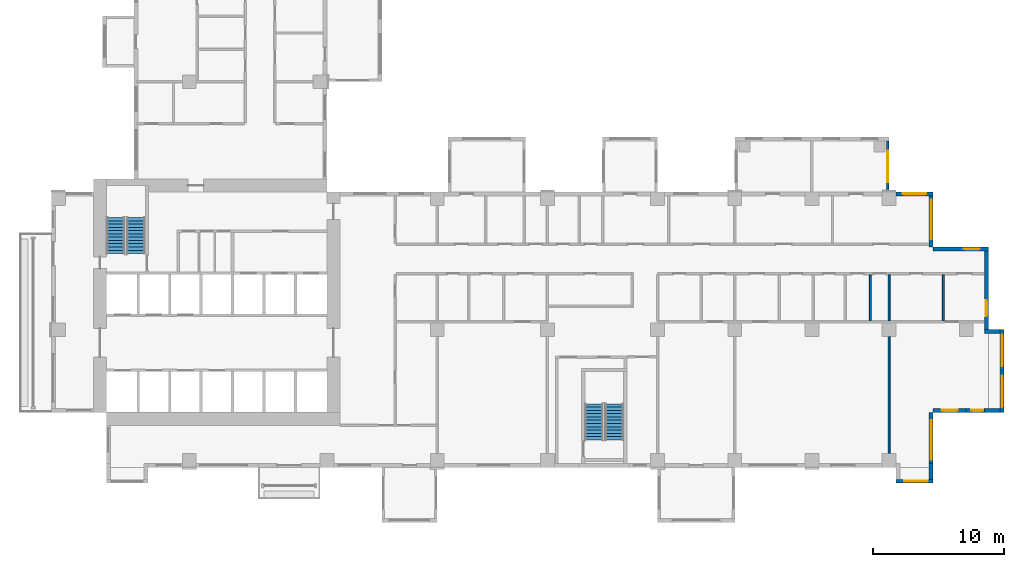
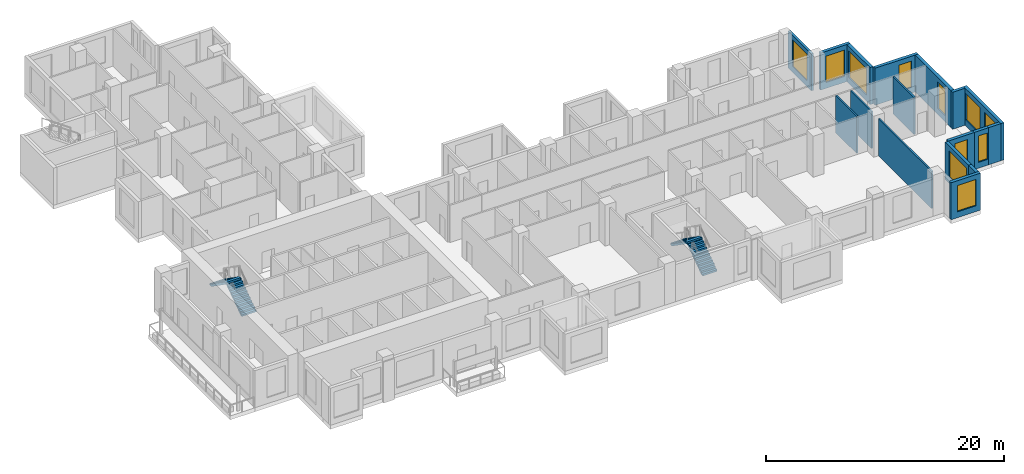
# One storey, part 9 of 15: 17 walls, 11 windows, 4 stair flights, 11 openings, 2 elements without a shape of their own.
"""IFC4 building model written with IfcOpenShell, lengths in metres."""

from ifc_helpers import new_model, si_unit, direction, frame, frame_2d, origin, place, context, subcontext, project, spatial, polyline, rectangle, outline, extrude, source, transform, mapped, material, layer, layer_set, type_object, element, fill, aggregate, save


model = new_model("IFC4")

# Units and contexts
model_context = context("Model", 3, precision=1e-05, world=origin(), true_north=direction((0.0, 1.0)))
body_context = subcontext(model_context, "Body", "Model", "MODEL_VIEW")
ifc_project = project(units=[si_unit("LENGTHUNIT", "METRE"), si_unit("AREAUNIT", "SQUARE_METRE"), si_unit("VOLUMEUNIT", "CUBIC_METRE"), si_unit("PLANEANGLEUNIT", "RADIAN"), si_unit("MASSUNIT", "GRAM", prefix="KILO")], contexts=[model_context])

# Site, building, storey
site_placement = place(None, origin())
site = spatial("IfcSite", under=ifc_project, at=site_placement, CompositionType="ELEMENT")
building_placement = place(site_placement, origin())
building = spatial("IfcBuilding", under=site, at=building_placement, Name="Aurelian Terraces", CompositionType="ELEMENT")
storey_placement = place(building_placement, frame((0.0, 0.0, 137.1)))
storey = spatial("IfcBuildingStorey", under=building, at=storey_placement, Name="L30", CompositionType="ELEMENT", Elevation=137.1)

# Wall, opening, window
ifc_material_1 = material(Name="Terracotta rainscreen cladding", Category="masonry")
ifc_layer_1 = layer(ifc_material_1, 0.3)
ifc_layer_set_1 = layer_set([ifc_layer_1], Name="EW-300")
wall_type_1 = type_object("IfcWallType", Name="EW-300", PredefinedType="STANDARD", material=ifc_layer_set_1)
shared_shape_1 = source(origin(), body_context, "Body", "SweptSolid", [
    extrude(rectangle(XDim=4.2, YDim=0.3, at=frame_2d((2.1, 0.0))), origin(), (0.0, 0.0, 1.0), 3.8),
])
wall_1_placement = place(storey_placement, frame((67.05, 0.0, 0.0), z_axis=(0.0, 0.0, 1.0), x_axis=(0.0, 1.0, 0.0)))
wall_1 = element("IfcWall", 1, at=wall_1_placement, inside=storey, type_object=wall_type_1, Name="External wall L30 F02.12", PredefinedType="STANDARD", context=body_context, shape_type="MappedRepresentation", body=[
    mapped(shared_shape_1, transform((0.0, 0.0, 0.0), scale=1.0)),
])
shared_shape_2 = source(origin(), body_context, "Body", "SweptSolid", [
    extrude(rectangle(XDim=3.0, YDim=2.7, at=frame_2d((1.5, 1.35))), frame((0.0, 0.16, 0.0), z_axis=(0.0, -1.0, 0.0), x_axis=(1.0, 0.0, 0.0)), (0.0, 0.0, 1.0), 0.32),
])
opening_1_placement = place(wall_1_placement, frame((0.6, 0.0, 0.6)))
opening_1 = element("IfcOpeningElement", 2, at=opening_1_placement, cuts=wall_1, Name="Opening W3027", PredefinedType="OPENING", context=body_context, shape_type="MappedRepresentation", body=[
    mapped(shared_shape_2, transform((0.0, 0.0, 0.0), scale=1.0)),
])
ifc_material_2 = material(Name="Clear glazing", Category="glass")
window_type_1 = type_object("IfcWindowType", Name="W-3000x2700", PartitioningType="SINGLE_PANEL", PredefinedType="WINDOW", material=ifc_material_2)
shared_shape_3 = source(origin(), body_context, "Body", "SweptSolid", [
    extrude(rectangle(XDim=3.0, YDim=2.7, at=frame_2d((1.5, 1.35))), frame((0.0, 0.03, 0.0), z_axis=(0.0, -1.0, 0.0), x_axis=(1.0, 0.0, 0.0)), (0.0, 0.0, 1.0), 0.06),
])
window_1_placement = place(opening_1_placement, origin())
window_1 = element("IfcWindow", 3, at=window_1_placement, inside=storey, type_object=window_type_1, Name="Window L30 L30-F02-12-0", OverallHeight=2.7, OverallWidth=3.0, PartitioningType="SINGLE_PANEL", PredefinedType="WINDOW", context=body_context, shape_type="MappedRepresentation", body=[
    mapped(shared_shape_3, transform((0.0, 0.0, 0.0), scale=1.0)),
])
fill(opening_1, window_1)

wall_2_placement = place(storey_placement, frame((71.4, 16.65, 0.0), z_axis=(0.0, 0.0, 1.0), x_axis=(-1.0, 0.0, 0.0)))
wall_2 = element("IfcWall", 4, at=wall_2_placement, inside=storey, type_object=wall_type_1, Name="External wall L30 F05.17", PredefinedType="STANDARD", context=body_context, shape_type="MappedRepresentation", body=[
    mapped(shared_shape_1, transform((0.0, 0.0, 0.0), scale=1.0)),
])
shared_shape_4 = source(origin(), body_context, "Body", "SweptSolid", [
    extrude(rectangle(XDim=1.2, YDim=2.7, at=frame_2d((0.6, 1.35))), frame((0.0, 0.16, 0.0), z_axis=(0.0, -1.0, 0.0), x_axis=(1.0, 0.0, 0.0)), (0.0, 0.0, 1.0), 0.32),
])
opening_2_placement = place(wall_2_placement, frame((0.66, 0.0, 0.6)))
opening_2 = element("IfcOpeningElement", 5, at=opening_2_placement, cuts=wall_2, Name="Opening W1227", PredefinedType="OPENING", context=body_context, shape_type="MappedRepresentation", body=[
    mapped(shared_shape_4, transform((0.0, 0.0, 0.0), scale=1.0)),
])
window_type_2 = type_object("IfcWindowType", Name="W-1200x2700", PartitioningType="SINGLE_PANEL", PredefinedType="WINDOW", material=ifc_material_2)
shared_shape_5 = source(origin(), body_context, "Body", "SweptSolid", [
    extrude(rectangle(XDim=1.2, YDim=2.7, at=frame_2d((0.6, 1.35))), frame((0.0, 0.03, 0.0), z_axis=(0.0, -1.0, 0.0), x_axis=(1.0, 0.0, 0.0)), (0.0, 0.0, 1.0), 0.06),
])
window_2_placement = place(opening_2_placement, origin())
window_2 = element("IfcWindow", 6, at=window_2_placement, inside=storey, type_object=window_type_2, Name="Window L30 L30-F05-17-0", OverallHeight=2.7, OverallWidth=1.2, PartitioningType="SINGLE_PANEL", PredefinedType="WINDOW", context=body_context, shape_type="MappedRepresentation", body=[
    mapped(shared_shape_5, transform((0.0, 0.0, 0.0), scale=1.0)),
])
fill(opening_2, window_2)

wall_3_placement = place(storey_placement, frame((67.05, 16.8, 0.0), z_axis=(0.0, 0.0, 1.0), x_axis=(0.0, 1.0, 0.0)))
wall_3 = element("IfcWall", 7, at=wall_3_placement, inside=storey, type_object=wall_type_1, Name="External wall L30 F06.18", PredefinedType="STANDARD", context=body_context, shape_type="MappedRepresentation", body=[
    mapped(shared_shape_1, transform((0.0, 0.0, 0.0), scale=1.0)),
])
opening_3_placement = place(wall_3_placement, frame((0.6, 0.0, 0.6)))
opening_3 = element("IfcOpeningElement", 8, at=opening_3_placement, cuts=wall_3, Name="Opening W3027", PredefinedType="OPENING", context=body_context, shape_type="MappedRepresentation", body=[
    mapped(shared_shape_2, transform((0.0, 0.0, 0.0), scale=1.0)),
])
window_3_placement = place(opening_3_placement, origin())
window_3 = element("IfcWindow", 9, at=window_3_placement, inside=storey, type_object=window_type_1, Name="Window L30 L30-F06-18-0", OverallHeight=2.7, OverallWidth=3.0, PartitioningType="SINGLE_PANEL", PredefinedType="WINDOW", context=body_context, shape_type="MappedRepresentation", body=[
    mapped(shared_shape_3, transform((0.0, 0.0, 0.0), scale=1.0)),
])
fill(opening_3, window_3)

# Walls
shared_shape_6 = source(origin(), body_context, "Body", "SweptSolid", [
    extrude(rectangle(XDim=1.2, YDim=0.3, at=frame_2d((0.6, 0.0))), origin(), (0.0, 0.0, 1.0), 3.8),
])
for number, where, z_axis, x_axis, name in (
    (10, (67.05, 0.3, 0.0), (0.0, 0.0, 1.0), (0.0, -1.0, 0.0), "Bay return L30 F01.11.2"),
    (11, (71.1, 4.35, 0.0), (0.0, 0.0, 1.0), (1.0, 0.0, 0.0), "Bay return L30 F04.15.1"),
    (12, (71.1, 10.35, 0.0), (0.0, 0.0, 1.0), (1.0, 0.0, 0.0), "Bay return L30 F04.15.2"),
):
    element("IfcWall", number, at=place(storey_placement, frame(where, z_axis=z_axis, x_axis=x_axis)), inside=storey, type_object=wall_type_1, Name=name, PredefinedType="STANDARD", context=body_context, shape_type="MappedRepresentation", body=[
        mapped(shared_shape_6, transform((0.0, 0.0, 0.0), scale=1.0)),
    ])

# Wall, opening, window
shared_shape_7 = source(origin(), body_context, "Body", "SweptSolid", [
    extrude(rectangle(XDim=2.52, YDim=0.3, at=frame_2d((1.26, 0.0))), origin(), (0.0, 0.0, 1.0), 3.8),
])
wall_4_placement = place(storey_placement, frame((67.2, 4.35, 0.0), z_axis=(0.0, 0.0, 1.0), x_axis=(1.0, 0.0, 0.0)))
wall_4 = element("IfcWall", 13, at=wall_4_placement, inside=storey, type_object=wall_type_1, Name="External wall L30 F03.13", PredefinedType="STANDARD", context=body_context, shape_type="MappedRepresentation", body=[
    mapped(shared_shape_7, transform((0.0, 0.0, 0.0), scale=1.0)),
])
opening_4_placement = place(wall_4_placement, frame((0.66, 0.0, 0.6)))
opening_4 = element("IfcOpeningElement", 14, at=opening_4_placement, cuts=wall_4, Name="Opening W1227", PredefinedType="OPENING", context=body_context, shape_type="MappedRepresentation", body=[
    mapped(shared_shape_4, transform((0.0, 0.0, 0.0), scale=1.0)),
])
window_4_placement = place(opening_4_placement, origin())
window_4 = element("IfcWindow", 15, at=window_4_placement, inside=storey, type_object=window_type_2, Name="Window L30 L30-F03-13-0", OverallHeight=2.7, OverallWidth=1.2, PartitioningType="SINGLE_PANEL", PredefinedType="WINDOW", context=body_context, shape_type="MappedRepresentation", body=[
    mapped(shared_shape_5, transform((0.0, 0.0, 0.0), scale=1.0)),
])
fill(opening_4, window_4)

shared_shape_8 = source(origin(), body_context, "Body", "SweptSolid", [
    extrude(rectangle(XDim=1.68, YDim=0.3, at=frame_2d((0.84, 0.0))), origin(), (0.0, 0.0, 1.0), 3.8),
])
wall_5_placement = place(storey_placement, frame((69.72, 4.35, 0.0), z_axis=(0.0, 0.0, 1.0), x_axis=(1.0, 0.0, 0.0)))
wall_5 = element("IfcWall", 16, at=wall_5_placement, inside=storey, type_object=wall_type_1, Name="External wall L30 F03.14", PredefinedType="STANDARD", context=body_context, shape_type="MappedRepresentation", body=[
    mapped(shared_shape_8, transform((0.0, 0.0, 0.0), scale=1.0)),
])
shared_shape_9 = source(origin(), body_context, "Body", "SweptSolid", [
    extrude(rectangle(XDim=0.9, YDim=2.7, at=frame_2d((0.45, 1.35))), frame((0.0, 0.16, 0.0), z_axis=(0.0, -1.0, 0.0), x_axis=(1.0, 0.0, 0.0)), (0.0, 0.0, 1.0), 0.32),
])
opening_5_placement = place(wall_5_placement, frame((0.39, 0.0, 0.6)))
opening_5 = element("IfcOpeningElement", 17, at=opening_5_placement, cuts=wall_5, Name="Opening W0927", PredefinedType="OPENING", context=body_context, shape_type="MappedRepresentation", body=[
    mapped(shared_shape_9, transform((0.0, 0.0, 0.0), scale=1.0)),
])
window_type_3 = type_object("IfcWindowType", Name="W-900x2700", PartitioningType="SINGLE_PANEL", PredefinedType="WINDOW", material=ifc_material_2)
shared_shape_10 = source(origin(), body_context, "Body", "SweptSolid", [
    extrude(rectangle(XDim=0.9, YDim=2.7, at=frame_2d((0.45, 1.35))), frame((0.0, 0.03, 0.0), z_axis=(0.0, -1.0, 0.0), x_axis=(1.0, 0.0, 0.0)), (0.0, 0.0, 1.0), 0.06),
])
window_5_placement = place(opening_5_placement, origin())
window_5 = element("IfcWindow", 18, at=window_5_placement, inside=storey, type_object=window_type_3, Name="Window L30 L30-F03-14-P0", OverallHeight=2.7, OverallWidth=0.9, PartitioningType="SINGLE_PANEL", PredefinedType="WINDOW", context=body_context, shape_type="MappedRepresentation", body=[
    mapped(shared_shape_10, transform((0.0, 0.0, 0.0), scale=1.0)),
])
fill(opening_5, window_5)

# Wall, openings, windows
shared_shape_11 = source(origin(), body_context, "Body", "SweptSolid", [
    extrude(rectangle(XDim=6.3, YDim=0.3, at=frame_2d((3.15, 0.0))), origin(), (0.0, 0.0, 1.0), 3.8),
])
wall_6_placement = place(storey_placement, frame((72.45, 4.2, 0.0), z_axis=(0.0, 0.0, 1.0), x_axis=(0.0, 1.0, 0.0)))
wall_6 = element("IfcWall", 19, at=wall_6_placement, inside=storey, type_object=wall_type_1, Name="Bay wall L30 F04.15", PredefinedType="STANDARD", context=body_context, shape_type="MappedRepresentation", body=[
    mapped(shared_shape_11, transform((0.0, 0.0, 0.0), scale=1.0)),
])
shared_shape_12 = source(origin(), body_context, "Body", "SweptSolid", [
    extrude(rectangle(XDim=2.4, YDim=2.7, at=frame_2d((1.2, 1.35))), frame((0.0, 0.16, 0.0), z_axis=(0.0, -1.0, 0.0), x_axis=(1.0, 0.0, 0.0)), (0.0, 0.0, 1.0), 0.32),
])
opening_6_placement = place(wall_6_placement, frame((0.375, 0.0, 0.6)))
opening_6 = element("IfcOpeningElement", 20, at=opening_6_placement, cuts=wall_6, Name="Opening W2427", PredefinedType="OPENING", context=body_context, shape_type="MappedRepresentation", body=[
    mapped(shared_shape_12, transform((0.0, 0.0, 0.0), scale=1.0)),
])
opening_7_placement = place(wall_6_placement, frame((3.525, 0.0, 0.6)))
opening_7 = element("IfcOpeningElement", 21, at=opening_7_placement, cuts=wall_6, Name="Opening W2427", PredefinedType="OPENING", context=body_context, shape_type="MappedRepresentation", body=[
    mapped(shared_shape_12, transform((0.0, 0.0, 0.0), scale=1.0)),
])
window_type_4 = type_object("IfcWindowType", Name="W-2400x2700", PartitioningType="SINGLE_PANEL", PredefinedType="WINDOW", material=ifc_material_2)
shared_shape_13 = source(origin(), body_context, "Body", "SweptSolid", [
    extrude(rectangle(XDim=2.4, YDim=2.7, at=frame_2d((1.2, 1.35))), frame((0.0, 0.03, 0.0), z_axis=(0.0, -1.0, 0.0), x_axis=(1.0, 0.0, 0.0)), (0.0, 0.0, 1.0), 0.06),
])
window_6_placement = place(opening_6_placement, origin())
window_6 = element("IfcWindow", 22, at=window_6_placement, inside=storey, type_object=window_type_4, Name="Window L30 L30-F04-15-0", OverallHeight=2.7, OverallWidth=2.4, PartitioningType="SINGLE_PANEL", PredefinedType="WINDOW", context=body_context, shape_type="MappedRepresentation", body=[
    mapped(shared_shape_13, transform((0.0, 0.0, 0.0), scale=1.0)),
])
fill(opening_6, window_6)
window_7_placement = place(opening_7_placement, origin())
window_7 = element("IfcWindow", 23, at=window_7_placement, inside=storey, type_object=window_type_4, Name="Window L30 L30-F04-15-1", OverallHeight=2.7, OverallWidth=2.4, PartitioningType="SINGLE_PANEL", PredefinedType="WINDOW", context=body_context, shape_type="MappedRepresentation", body=[
    mapped(shared_shape_13, transform((0.0, 0.0, 0.0), scale=1.0)),
])
fill(opening_7, window_7)

# Wall, opening, window
wall_7_placement = place(storey_placement, frame((71.25, 10.5, 0.0), z_axis=(0.0, 0.0, 1.0), x_axis=(0.0, 1.0, 0.0)))
wall_7 = element("IfcWall", 24, at=wall_7_placement, inside=storey, type_object=wall_type_1, Name="External wall L30 F04.16", PredefinedType="STANDARD", context=body_context, shape_type="MappedRepresentation", body=[
    mapped(shared_shape_11, transform((0.0, 0.0, 0.0), scale=1.0)),
])
opening_8_placement = place(wall_7_placement, frame((1.025, 0.0, 0.6)))
opening_8 = element("IfcOpeningElement", 25, at=opening_8_placement, cuts=wall_7, Name="Opening W1227", PredefinedType="OPENING", context=body_context, shape_type="MappedRepresentation", body=[
    mapped(shared_shape_4, transform((0.0, 0.0, 0.0), scale=1.0)),
])
window_8_placement = place(opening_8_placement, origin())
window_8 = element("IfcWindow", 26, at=window_8_placement, inside=storey, type_object=window_type_2, Name="Window L30 L30-F04-16-0", OverallHeight=2.7, OverallWidth=1.2, PartitioningType="SINGLE_PANEL", PredefinedType="WINDOW", context=body_context, shape_type="MappedRepresentation", body=[
    mapped(shared_shape_5, transform((0.0, 0.0, 0.0), scale=1.0)),
])
fill(opening_8, window_8)

ifc_material_3 = material(Name="Concrete fc' 40 MPa", Category="concrete")
ifc_layer_2 = layer(ifc_material_3, 0.2)
ifc_layer_set_2 = layer_set([ifc_layer_2], Name="BOX BEARING WALL 200")
wall_type_2 = type_object("IfcWallType", Name="BOX BEARING WALL 200", PredefinedType="SOLIDWALL", material=ifc_layer_set_2)
shared_shape_14 = source(origin(), body_context, "Body", "SweptSolid", [
    extrude(rectangle(XDim=3.9, YDim=0.2, at=frame_2d((1.95, 0.0))), origin(), (0.0, 0.0, 1.0), 3.79),
])
wall_8_placement = place(storey_placement, frame((63.74, 21.0, 0.0), z_axis=(0.0, 0.0, 1.0), x_axis=(0.0, 1.0, 0.0)))
wall_8 = element("IfcWall", 27, at=wall_8_placement, inside=storey, type_object=wall_type_2, Name="Box return L30 K02.1", PredefinedType="SOLIDWALL", context=body_context, shape_type="MappedRepresentation", body=[
    mapped(shared_shape_14, transform((0.0, 0.0, 0.0), scale=1.0)),
])
shared_shape_15 = source(origin(), body_context, "Body", "SweptSolid", [
    extrude(rectangle(XDim=2.4, YDim=2.7, at=frame_2d((1.2, 1.35))), frame((0.0, 0.11, 0.0), z_axis=(0.0, -1.0, 0.0), x_axis=(1.0, 0.0, 0.0)), (0.0, 0.0, 1.0), 0.22),
])
opening_9_placement = place(wall_8_placement, frame((0.75, 0.0, 0.6)))
opening_9 = element("IfcOpeningElement", 28, at=opening_9_placement, cuts=wall_8, Name="Opening W2427", PredefinedType="OPENING", context=body_context, shape_type="MappedRepresentation", body=[
    mapped(shared_shape_15, transform((0.0, 0.0, 0.0), scale=1.0)),
])
window_9_placement = place(opening_9_placement, origin())
window_9 = element("IfcWindow", 29, at=window_9_placement, inside=storey, type_object=window_type_4, Name="Window L30 K02-S1", OverallHeight=2.7, OverallWidth=2.4, PartitioningType="SINGLE_PANEL", PredefinedType="WINDOW", context=body_context, shape_type="MappedRepresentation", body=[
    mapped(shared_shape_13, transform((0.0, 0.0, 0.0), scale=1.0)),
])
fill(opening_9, window_9)

shared_shape_16 = source(origin(), body_context, "Body", "SweptSolid", [
    extrude(rectangle(XDim=2.835, YDim=0.3, at=frame_2d((1.4175, 0.0))), origin(), (0.0, 0.0, 1.0), 3.8),
])
wall_9_placement = place(storey_placement, frame((64.365, -1.05, 0.0), z_axis=(0.0, 0.0, 1.0), x_axis=(1.0, 0.0, 0.0)))
wall_9 = element("IfcWall", 30, at=wall_9_placement, inside=storey, type_object=wall_type_1, Name="Bay wall L30 F01.11", PredefinedType="STANDARD", context=body_context, shape_type="MappedRepresentation", body=[
    mapped(shared_shape_16, transform((0.0, 0.0, 0.0), scale=1.0)),
])
shared_shape_17 = source(origin(), body_context, "Body", "SweptSolid", [
    extrude(rectangle(XDim=1.8, YDim=2.7, at=frame_2d((0.9, 1.35))), frame((0.0, 0.16, 0.0), z_axis=(0.0, -1.0, 0.0), x_axis=(1.0, 0.0, 0.0)), (0.0, 0.0, 1.0), 0.32),
])
opening_10_placement = place(wall_9_placement, frame((0.6175, 0.0, 0.6)))
opening_10 = element("IfcOpeningElement", 31, at=opening_10_placement, cuts=wall_9, Name="Opening W1827", PredefinedType="OPENING", context=body_context, shape_type="MappedRepresentation", body=[
    mapped(shared_shape_17, transform((0.0, 0.0, 0.0), scale=1.0)),
])
window_type_5 = type_object("IfcWindowType", Name="W-1800x2700", PartitioningType="SINGLE_PANEL", PredefinedType="WINDOW", material=ifc_material_2)
shared_shape_18 = source(origin(), body_context, "Body", "SweptSolid", [
    extrude(rectangle(XDim=1.8, YDim=2.7, at=frame_2d((0.9, 1.35))), frame((0.0, 0.03, 0.0), z_axis=(0.0, -1.0, 0.0), x_axis=(1.0, 0.0, 0.0)), (0.0, 0.0, 1.0), 0.06),
])
window_10_placement = place(opening_10_placement, origin())
window_10 = element("IfcWindow", 32, at=window_10_placement, inside=storey, type_object=window_type_5, Name="Window L30 L30-F01-11-0", OverallHeight=2.7, OverallWidth=1.8, PartitioningType="SINGLE_PANEL", PredefinedType="WINDOW", context=body_context, shape_type="MappedRepresentation", body=[
    mapped(shared_shape_18, transform((0.0, 0.0, 0.0), scale=1.0)),
])
fill(opening_10, window_10)

wall_10_placement = place(storey_placement, frame((67.2, 20.85, 0.0), z_axis=(0.0, 0.0, 1.0), x_axis=(-1.0, 0.0, 0.0)))
wall_10 = element("IfcWall", 33, at=wall_10_placement, inside=storey, type_object=wall_type_1, Name="External wall L30 F07.19", PredefinedType="STANDARD", context=body_context, shape_type="MappedRepresentation", body=[
    mapped(shared_shape_16, transform((0.0, 0.0, 0.0), scale=1.0)),
])
opening_11_placement = place(wall_10_placement, frame((0.5175, 0.0, 0.6)))
opening_11 = element("IfcOpeningElement", 34, at=opening_11_placement, cuts=wall_10, Name="Opening W1827", PredefinedType="OPENING", context=body_context, shape_type="MappedRepresentation", body=[
    mapped(shared_shape_17, transform((0.0, 0.0, 0.0), scale=1.0)),
])
window_11_placement = place(opening_11_placement, origin())
window_11 = element("IfcWindow", 35, at=window_11_placement, inside=storey, type_object=window_type_5, Name="Window L30 L30-F07-19-P0", OverallHeight=2.7, OverallWidth=1.8, PartitioningType="SINGLE_PANEL", PredefinedType="WINDOW", context=body_context, shape_type="MappedRepresentation", body=[
    mapped(shared_shape_18, transform((0.0, 0.0, 0.0), scale=1.0)),
])
fill(opening_11, window_11)

# Walls
ifc_material_4 = material(Name="Gypsum board on steel studs", Category="steel")
ifc_layer_3 = layer(ifc_material_4, 0.15)
ifc_layer_set_3 = layer_set([ifc_layer_3], Name="Partition 150")
wall_type_3 = type_object("IfcWallType", Name="Partition 150", PredefinedType="PARTITIONING", material=ifc_layer_set_3)
shared_shape_19 = source(origin(), body_context, "Body", "SweptSolid", [
    extrude(rectangle(XDim=8.927, YDim=0.15, at=frame_2d((4.4635, 0.0))), origin(), (0.0, 0.0, 1.0), 3.8),
])
wall_11_placement = place(storey_placement, frame((63.84, 1.049, 0.0), z_axis=(0.0, 0.0, 1.0), x_axis=(0.0, 1.0, 0.0)))
element("IfcWall", 36, at=wall_11_placement, inside=storey, type_object=wall_type_3, Name="Partition", PredefinedType="PARTITIONING", context=body_context, shape_type="MappedRepresentation", body=[
    mapped(shared_shape_19, transform((0.0, 0.0, 0.0), scale=1.0)),
])
shared_shape_20 = source(origin(), body_context, "Body", "SweptSolid", [
    extrude(rectangle(XDim=3.525, YDim=0.15, at=frame_2d((1.7625, 0.0))), origin(), (0.0, 0.0, 1.0), 3.8),
])
for number, where, z_axis, x_axis, name in (
    (37, (62.4161, 11.175, 0.0), (0.0, 0.0, 1.0), (0.0, 1.0, 0.0), "Partition"),
    (38, (67.9735, 11.175, 0.0), (0.0, 0.0, 1.0), (0.0, 1.0, 0.0), "Partition"),
    (39, (63.84, 11.175, 0.0), (0.0, 0.0, 1.0), (0.0, 1.0, 0.0), "Partition"),
):
    element("IfcWall", number, at=place(storey_placement, frame(where, z_axis=z_axis, x_axis=x_axis)), inside=storey, type_object=wall_type_3, Name=name, PredefinedType="PARTITIONING", context=body_context, shape_type="MappedRepresentation", body=[
        mapped(shared_shape_20, transform((0.0, 0.0, 0.0), scale=1.0)),
    ])

# Stair, stair flights
stair_type = type_object("IfcStairType", Name="Stair 1400", PredefinedType="HALF_TURN_STAIR", material=ifc_material_3)
stair_1_placement = place(storey_placement, origin())
stair_1 = element("IfcStair", 40, at=stair_1_placement, inside=storey, type_object=stair_type, Name="L30 S1", PredefinedType="HALF_TURN_STAIR")
stair_flight_type = type_object("IfcStairFlightType", Name="Stair flight 1400", PredefinedType="STRAIGHT", material=ifc_material_3)
shared_shape_21 = source(origin(), body_context, "Body", "SweptSolid", [
    extrude(outline(polyline([(0.0, 0.0), (0.0, 0.175), (0.25, 0.175), (0.25, 0.35), (0.5, 0.35), (0.5, 0.525), (0.75, 0.525), (0.75, 0.7), (1.0, 0.7), (1.0, 0.875), (1.25, 0.875), (1.25, 1.05), (1.5, 1.05), (1.5, 1.225), (1.75, 1.225), (1.75, 1.4), (2.0, 1.4), (2.0, 1.575), (2.25, 1.575), (2.25, 1.75), (2.5, 1.75), (2.5, 1.925), (2.75, 1.925), (2.75, 2.1), (2.75, 1.7419), (0.2616, 0.0), (0.0, 0.0)])), frame((0.0, 0.7, 0.0), z_axis=(0.0, -1.0, 0.0), x_axis=(1.0, 0.0, 0.0)), (0.0, 0.0, 1.0), 1.4),
])
stair_flight_1_placement = place(storey_placement, frame((6.45, 16.3, 2e-08), z_axis=(0.0, 0.0, 1.0), x_axis=(0.0, 1.0, 0.0)))
stair_flight_1 = element("IfcStairFlight", 41, at=stair_flight_1_placement, type_object=stair_flight_type, Name="S1 flight 1", NumberOfRisers=12, NumberOfTreads=11, PredefinedType="STRAIGHT", RiserHeight=0.175, TreadLength=0.25, context=body_context, shape_type="MappedRepresentation", body=[
    mapped(shared_shape_21, transform((0.0, 0.0, 0.0), scale=1.0)),
])
stair_flight_2_placement = place(storey_placement, frame((4.9, 19.05, 2.100000019999994), z_axis=(0.0, 0.0, 1.0), x_axis=(0.0, -1.0, 0.0)))
stair_flight_2 = element("IfcStairFlight", 42, at=stair_flight_2_placement, type_object=stair_flight_type, Name="S1 flight 2", NumberOfRisers=12, NumberOfTreads=11, PredefinedType="STRAIGHT", RiserHeight=0.175, TreadLength=0.25, context=body_context, shape_type="MappedRepresentation", body=[
    mapped(shared_shape_21, transform((0.0, 0.0, 0.0), scale=1.0)),
])
aggregate(stair_1, [stair_flight_1, stair_flight_2])

stair_2_placement = place(storey_placement, origin())
stair_2 = element("IfcStair", 43, at=stair_2_placement, inside=storey, type_object=stair_type, Name="L30 S2", PredefinedType="HALF_TURN_STAIR")
stair_flight_3_placement = place(storey_placement, frame((42.9, 2.1, 2e-08), z_axis=(0.0, 0.0, 1.0), x_axis=(0.0, 1.0, 0.0)))
stair_flight_3 = element("IfcStairFlight", 44, at=stair_flight_3_placement, type_object=stair_flight_type, Name="S2 flight 1", NumberOfRisers=12, NumberOfTreads=11, PredefinedType="STRAIGHT", RiserHeight=0.175, TreadLength=0.25, context=body_context, shape_type="MappedRepresentation", body=[
    mapped(shared_shape_21, transform((0.0, 0.0, 0.0), scale=1.0)),
])
stair_flight_4_placement = place(storey_placement, frame((41.35, 4.85, 2.100000019999994), z_axis=(0.0, 0.0, 1.0), x_axis=(0.0, -1.0, 0.0)))
stair_flight_4 = element("IfcStairFlight", 45, at=stair_flight_4_placement, type_object=stair_flight_type, Name="S2 flight 2", NumberOfRisers=12, NumberOfTreads=11, PredefinedType="STRAIGHT", RiserHeight=0.175, TreadLength=0.25, context=body_context, shape_type="MappedRepresentation", body=[
    mapped(shared_shape_21, transform((0.0, 0.0, 0.0), scale=1.0)),
])
aggregate(stair_2, [stair_flight_3, stair_flight_4])

save(model, "model.ifc")
